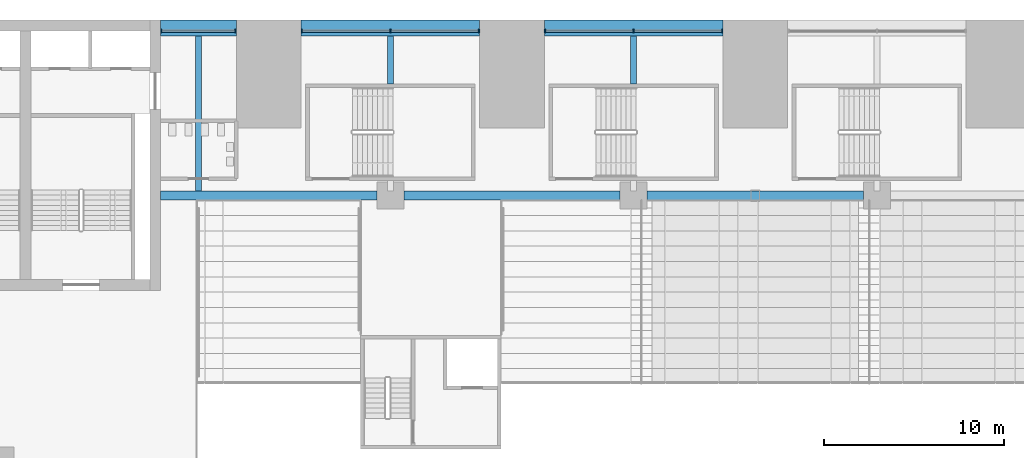
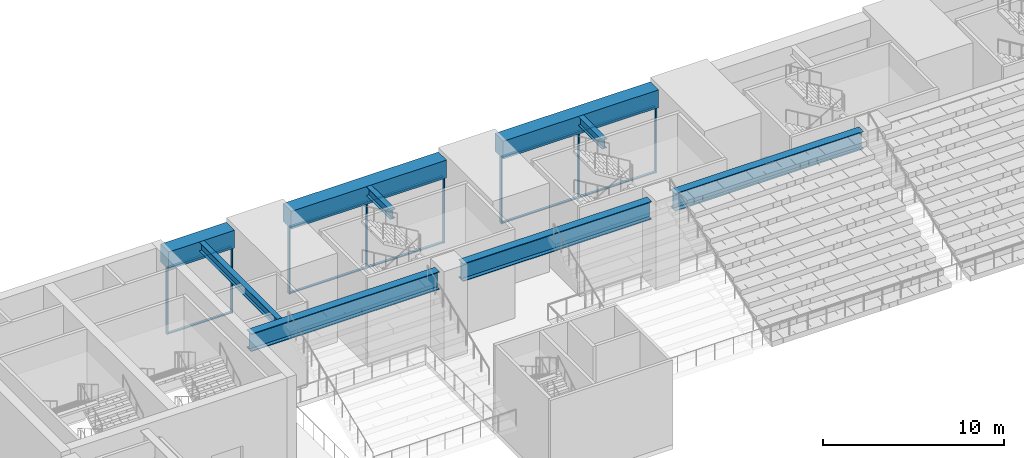
# One storey, part 10 of 61: 18 members, 9 beams, 3 elements without a shape of their own.
"""IFC4 building model written with IfcOpenShell, lengths in metres."""

from ifc_helpers import new_model, si_unit, direction, frame, origin, origin_2d, place, context, subcontext, project, spatial, rectangle, i_section, extrude, material, layer, layer_set, material_profile, profile_set, type_object, element, aggregate, save


model = new_model("IFC4")

# Units and contexts
model_context = context("Model", 3, precision=1e-05, world=origin(), true_north=direction((0.0, 1.0)))
body_context = subcontext(model_context, "Body", "Model", "MODEL_VIEW")
ifc_project = project(units=[si_unit("LENGTHUNIT", "METRE"), si_unit("AREAUNIT", "SQUARE_METRE"), si_unit("VOLUMEUNIT", "CUBIC_METRE"), si_unit("PLANEANGLEUNIT", "RADIAN"), si_unit("MASSUNIT", "GRAM", prefix="KILO")], contexts=[model_context])

# Site, building, storey
site_placement = place(None, origin())
site = spatial("IfcSite", under=ifc_project, at=site_placement, CompositionType="ELEMENT")
building_placement = place(site_placement, origin())
building = spatial("IfcBuilding", under=site, at=building_placement, Name="Corbelhall Arena Tower", CompositionType="ELEMENT")
storey_placement = place(building_placement, frame((0.0, 0.0, 31.0)))
storey = spatial("IfcBuildingStorey", under=building, at=storey_placement, Name="L04", CompositionType="ELEMENT", Elevation=31.0)

# Curtain wall, members
ifc_material_1 = material(Name="Aluminium black anodised", Category="aluminium")
ifc_layer = layer(ifc_material_1, 0.239990234375)
ifc_layer_set = layer_set([ifc_layer], Name="EV-CW4 Arena concourse glazing")
curtain_wall_type = type_object("IfcCurtainWallType", Name="EV-CW4 Arena concourse glazing", PredefinedType="NOTDEFINED", material=ifc_layer_set)
curtain_wall_1_placement = place(storey_placement, origin())
curtain_wall_1 = element("IfcCurtainWall", 1, at=curtain_wall_1_placement, inside=storey, type_object=curtain_wall_type, Name="Curtain wall CW4", PredefinedType="NOTDEFINED")
ifc_material_profile_1 = material_profile(ifc_material_1, rectangle(XDim=0.199951171875, YDim=0.074951171875, at=origin_2d()))
ifc_profile_set_1 = profile_set([ifc_material_profile_1], Name="Aluminium black anodised")
member_type_1 = type_object("IfcMemberType", Name="EV-CW4-MULLION", PredefinedType="MULLION", material=ifc_profile_set_1)
member_1_placement = place(storey_placement, frame((-1.83740234375, 38.3798828125, 0.0), z_axis=(0.0, 0.0, 1.0), x_axis=(0.0, -1.0, 0.0)))
member_1 = element("IfcMember", 2, at=member_1_placement, type_object=member_type_1, Name="CW4 mullion 1", PredefinedType="MULLION", context=body_context, shape_type="SweptSolid", body=[
    extrude(rectangle(XDim=0.199951171875, YDim=0.074951171875, at=origin_2d()), origin(), (0.0, 0.0, 1.0), 4.5),
])
member_2_placement = place(storey_placement, frame((-6.75, 38.3798828125, 0.0), z_axis=(0.0, 0.0, 1.0), x_axis=(0.0, -1.0, 0.0)))
member_2 = element("IfcMember", 3, at=member_2_placement, type_object=member_type_1, Name="CW4 mullion 2", PredefinedType="MULLION", context=body_context, shape_type="SweptSolid", body=[
    extrude(rectangle(XDim=0.199951171875, YDim=0.074951171875, at=origin_2d()), origin(), (0.0, 0.0, 1.0), 4.5),
])
member_3_placement = place(storey_placement, frame((-11.66259765625, 38.3798828125, 0.0), z_axis=(0.0, 0.0, 1.0), x_axis=(0.0, -1.0, 0.0)))
member_3 = element("IfcMember", 4, at=member_3_placement, type_object=member_type_1, Name="CW4 mullion 3", PredefinedType="MULLION", context=body_context, shape_type="SweptSolid", body=[
    extrude(rectangle(XDim=0.199951171875, YDim=0.074951171875, at=origin_2d()), origin(), (0.0, 0.0, 1.0), 4.5),
])

curtain_wall_2_placement = place(storey_placement, origin())
curtain_wall_2 = element("IfcCurtainWall", 5, at=curtain_wall_2_placement, inside=storey, type_object=curtain_wall_type, Name="Curtain wall CW4", PredefinedType="NOTDEFINED")
member_4_placement = place(storey_placement, frame((-15.33740234375, 38.3798828125, 0.0), z_axis=(0.0, 0.0, 1.0), x_axis=(0.0, -1.0, 0.0)))
member_4 = element("IfcMember", 6, at=member_4_placement, type_object=member_type_1, Name="CW4 mullion 1", PredefinedType="MULLION", context=body_context, shape_type="SweptSolid", body=[
    extrude(rectangle(XDim=0.199951171875, YDim=0.074951171875, at=origin_2d()), origin(), (0.0, 0.0, 1.0), 4.5),
])
member_5_placement = place(storey_placement, frame((-20.25, 38.3798828125, 0.0), z_axis=(0.0, 0.0, 1.0), x_axis=(0.0, -1.0, 0.0)))
member_5 = element("IfcMember", 7, at=member_5_placement, type_object=member_type_1, Name="CW4 mullion 2", PredefinedType="MULLION", context=body_context, shape_type="SweptSolid", body=[
    extrude(rectangle(XDim=0.199951171875, YDim=0.074951171875, at=origin_2d()), origin(), (0.0, 0.0, 1.0), 4.5),
])
member_6_placement = place(storey_placement, frame((-25.16259765625, 38.3798828125, 0.0), z_axis=(0.0, 0.0, 1.0), x_axis=(0.0, -1.0, 0.0)))
member_6 = element("IfcMember", 8, at=member_6_placement, type_object=member_type_1, Name="CW4 mullion 3", PredefinedType="MULLION", context=body_context, shape_type="SweptSolid", body=[
    extrude(rectangle(XDim=0.199951171875, YDim=0.074951171875, at=origin_2d()), origin(), (0.0, 0.0, 1.0), 4.5),
])

curtain_wall_3_placement = place(storey_placement, origin())
curtain_wall_3 = element("IfcCurtainWall", 9, at=curtain_wall_3_placement, inside=storey, type_object=curtain_wall_type, Name="Curtain wall CW4A", PredefinedType="NOTDEFINED")
member_7_placement = place(storey_placement, frame((-28.83740234375, 38.3798828125, 0.0), z_axis=(0.0, 0.0, 1.0), x_axis=(0.0, -1.0, 0.0)))
member_7 = element("IfcMember", 10, at=member_7_placement, type_object=member_type_1, Name="CW4A mullion 1", PredefinedType="MULLION", context=body_context, shape_type="SweptSolid", body=[
    extrude(rectangle(XDim=0.199951171875, YDim=0.074951171875, at=origin_2d()), origin(), (0.0, 0.0, 1.0), 4.5),
])
member_8_placement = place(storey_placement, frame((-32.96240234375, 38.3798828125, 0.0), z_axis=(0.0, 0.0, 1.0), x_axis=(0.0, -1.0, 0.0)))
member_8 = element("IfcMember", 11, at=member_8_placement, type_object=member_type_1, Name="CW4A mullion 2", PredefinedType="MULLION", context=body_context, shape_type="SweptSolid", body=[
    extrude(rectangle(XDim=0.199951171875, YDim=0.074951171875, at=origin_2d()), origin(), (0.0, 0.0, 1.0), 4.5),
])

# Member
ifc_material_profile_2 = material_profile(ifc_material_1, rectangle(XDim=0.14990234375, YDim=0.074951171875, at=origin_2d()))
ifc_profile_set_2 = profile_set([ifc_material_profile_2], Name="Aluminium black anodised")
member_type_2 = type_object("IfcMemberType", Name="EV-CW4-TRANSOM", PredefinedType="USERDEFINED", material=ifc_profile_set_2)
member_9_placement = place(storey_placement, frame((-1.875, 38.3798828125, 0.03759765625), z_axis=(-1.0, 0.0, 0.0), x_axis=(0.0, -1.0, 0.0)))
member_9 = element("IfcMember", 12, at=member_9_placement, type_object=member_type_2, Name="CW4 transom 1.1", ObjectType="transom", PredefinedType="USERDEFINED", context=body_context, shape_type="SweptSolid", body=[
    extrude(rectangle(XDim=0.14990234375, YDim=0.074951171875, at=origin_2d()), origin(), (0.0, 0.0, 1.0), 4.83740234375),
])

member_10_placement = place(storey_placement, frame((-1.875, 38.3798828125, 4.46240234375), z_axis=(-1.0, 0.0, 0.0), x_axis=(0.0, -1.0, 0.0)))
member_10 = element("IfcMember", 13, at=member_10_placement, type_object=member_type_2, Name="CW4 transom 1.2", ObjectType="transom", PredefinedType="USERDEFINED", context=body_context, shape_type="SweptSolid", body=[
    extrude(rectangle(XDim=0.14990234375, YDim=0.074951171875, at=origin_2d()), origin(), (0.0, 0.0, 1.0), 4.83740234375),
])

member_11_placement = place(storey_placement, frame((-6.78759765625, 38.3798828125, 0.03759765625), z_axis=(-1.0, 0.0, 0.0), x_axis=(0.0, -1.0, 0.0)))
member_11 = element("IfcMember", 14, at=member_11_placement, type_object=member_type_2, Name="CW4 transom 2.1", ObjectType="transom", PredefinedType="USERDEFINED", context=body_context, shape_type="SweptSolid", body=[
    extrude(rectangle(XDim=0.14990234375, YDim=0.074951171875, at=origin_2d()), origin(), (0.0, 0.0, 1.0), 4.83740234375),
])

member_12_placement = place(storey_placement, frame((-6.78759765625, 38.3798828125, 4.46240234375), z_axis=(-1.0, 0.0, 0.0), x_axis=(0.0, -1.0, 0.0)))
member_12 = element("IfcMember", 15, at=member_12_placement, type_object=member_type_2, Name="CW4 transom 2.2", ObjectType="transom", PredefinedType="USERDEFINED", context=body_context, shape_type="SweptSolid", body=[
    extrude(rectangle(XDim=0.14990234375, YDim=0.074951171875, at=origin_2d()), origin(), (0.0, 0.0, 1.0), 4.83740234375),
])

aggregate(curtain_wall_1, [member_1, member_2, member_3, member_9, member_10, member_11, member_12])

member_13_placement = place(storey_placement, frame((-15.375, 38.3798828125, 0.03759765625), z_axis=(-1.0, 0.0, 0.0), x_axis=(0.0, -1.0, 0.0)))
member_13 = element("IfcMember", 16, at=member_13_placement, type_object=member_type_2, Name="CW4 transom 1.1", ObjectType="transom", PredefinedType="USERDEFINED", context=body_context, shape_type="SweptSolid", body=[
    extrude(rectangle(XDim=0.14990234375, YDim=0.074951171875, at=origin_2d()), origin(), (0.0, 0.0, 1.0), 4.83740234375),
])

member_14_placement = place(storey_placement, frame((-15.375, 38.3798828125, 4.46240234375), z_axis=(-1.0, 0.0, 0.0), x_axis=(0.0, -1.0, 0.0)))
member_14 = element("IfcMember", 17, at=member_14_placement, type_object=member_type_2, Name="CW4 transom 1.2", ObjectType="transom", PredefinedType="USERDEFINED", context=body_context, shape_type="SweptSolid", body=[
    extrude(rectangle(XDim=0.14990234375, YDim=0.074951171875, at=origin_2d()), origin(), (0.0, 0.0, 1.0), 4.83740234375),
])

member_15_placement = place(storey_placement, frame((-20.28759765625, 38.3798828125, 0.03759765625), z_axis=(-1.0, 0.0, 0.0), x_axis=(0.0, -1.0, 0.0)))
member_15 = element("IfcMember", 18, at=member_15_placement, type_object=member_type_2, Name="CW4 transom 2.1", ObjectType="transom", PredefinedType="USERDEFINED", context=body_context, shape_type="SweptSolid", body=[
    extrude(rectangle(XDim=0.14990234375, YDim=0.074951171875, at=origin_2d()), origin(), (0.0, 0.0, 1.0), 4.83740234375),
])

member_16_placement = place(storey_placement, frame((-20.28759765625, 38.3798828125, 4.46240234375), z_axis=(-1.0, 0.0, 0.0), x_axis=(0.0, -1.0, 0.0)))
member_16 = element("IfcMember", 19, at=member_16_placement, type_object=member_type_2, Name="CW4 transom 2.2", ObjectType="transom", PredefinedType="USERDEFINED", context=body_context, shape_type="SweptSolid", body=[
    extrude(rectangle(XDim=0.14990234375, YDim=0.074951171875, at=origin_2d()), origin(), (0.0, 0.0, 1.0), 4.83740234375),
])

aggregate(curtain_wall_2, [member_4, member_5, member_6, member_13, member_14, member_15, member_16])

member_17_placement = place(storey_placement, frame((-28.875, 38.3798828125, 0.03759765625), z_axis=(-1.0, 0.0, 0.0), x_axis=(0.0, -1.0, 0.0)))
member_17 = element("IfcMember", 20, at=member_17_placement, type_object=member_type_2, Name="CW4A transom 1.1", ObjectType="transom", PredefinedType="USERDEFINED", context=body_context, shape_type="SweptSolid", body=[
    extrude(rectangle(XDim=0.14990234375, YDim=0.074951171875, at=origin_2d()), origin(), (0.0, 0.0, 1.0), 4.050048828125),
])

member_18_placement = place(storey_placement, frame((-28.875, 38.3798828125, 4.46240234375), z_axis=(-1.0, 0.0, 0.0), x_axis=(0.0, -1.0, 0.0)))
member_18 = element("IfcMember", 21, at=member_18_placement, type_object=member_type_2, Name="CW4A transom 1.2", ObjectType="transom", PredefinedType="USERDEFINED", context=body_context, shape_type="SweptSolid", body=[
    extrude(rectangle(XDim=0.14990234375, YDim=0.074951171875, at=origin_2d()), origin(), (0.0, 0.0, 1.0), 4.050048828125),
])

aggregate(curtain_wall_3, [member_7, member_8, member_17, member_18])

# Beams
ifc_material_2 = material(Name="Steel ASTM A992 Gr50", Category="steel")
ifc_material_profile_3 = material_profile(ifc_material_2, i_section(OverallWidth=0.323974609375, OverallDepth=0.611083984375, WebThickness=0.0126953125, FlangeThickness=0.01904296875, at=origin_2d()))
ifc_profile_set_3 = profile_set([ifc_material_profile_3], Name="Steel ASTM A992 Gr50")
beam_type_1 = type_object("IfcBeamType", Name="PO-BEAM-W24X104", PredefinedType="BEAM", material=ifc_profile_set_3)
beam_1_placement = place(storey_placement, frame((-30.89990234375, 29.5, 5.39453125), z_axis=(0.0, 1.0, 0.0), x_axis=(-1.0, 0.0, 0.0)))
element("IfcBeam", 22, at=beam_1_placement, inside=storey, type_object=beam_type_1, Name="CONCOURSE BEAM", PredefinedType="BEAM", context=body_context, shape_type="SweptSolid", body=[
    extrude(i_section(OverallWidth=0.323974609375, OverallDepth=0.611083984375, WebThickness=0.0126953125, FlangeThickness=0.01904296875, at=origin_2d()), origin(), (0.0, 0.0, 1.0), 8.60009765625),
])
for number, where, z_axis, x_axis, name in (
    (23, (-20.25, 35.449951171875, 5.39453125), (0.0, 1.0, 0.0), (-1.0, 0.0, 0.0), "CONCOURSE BEAM"),
    (24, (-6.75, 35.449951171875, 5.39453125), (0.0, 1.0, 0.0), (-1.0, 0.0, 0.0), "CONCOURSE BEAM"),
):
    element("IfcBeam", number, at=place(storey_placement, frame(where, z_axis=z_axis, x_axis=x_axis)), inside=storey, type_object=beam_type_1, Name=name, PredefinedType="BEAM", context=body_context, shape_type="SweptSolid", body=[
        extrude(i_section(OverallWidth=0.323974609375, OverallDepth=0.611083984375, WebThickness=0.0126953125, FlangeThickness=0.01904296875, at=origin_2d()), origin(), (0.0, 0.0, 1.0), 2.650146484375),
    ])
ifc_material_3 = material(Name="Steel ASTM A572 Gr50", Category="steel")
ifc_material_profile_4 = material_profile(ifc_material_3, i_section(OverallWidth=0.5, OverallDepth=1.199951171875, WebThickness=0.02490234375, FlangeThickness=0.044921875, at=origin_2d()))
ifc_profile_set_4 = profile_set([ifc_material_profile_4], Name="Steel ASTM A572 Gr50")
beam_type_2 = type_object("IfcBeamType", Name="PO-GIRDER-PG1200X500X25X45", PredefinedType="BEAM", material=ifc_profile_set_4)
for number, where, z_axis, x_axis, name in (
    (25, (-33.0, 29.25, 5.10009765625), (1.0, 0.0, 0.0), (0.0, 1.0, 0.0), "RING GIRDER"),
    (26, (-19.5, 29.25, 5.10009765625), (1.0, 0.0, 0.0), (0.0, 1.0, 0.0), "RING GIRDER"),
    (27, (-6.0, 29.25, 5.10009765625), (1.0, 0.0, 0.0), (0.0, 1.0, 0.0), "RING GIRDER"),
):
    element("IfcBeam", number, at=place(storey_placement, frame(where, z_axis=z_axis, x_axis=x_axis)), inside=storey, type_object=beam_type_2, Name=name, PredefinedType="BEAM", context=body_context, shape_type="SweptSolid", body=[
        extrude(i_section(OverallWidth=0.5, OverallDepth=1.199951171875, WebThickness=0.02490234375, FlangeThickness=0.044921875, at=origin_2d()), origin(), (0.0, 0.0, 1.0), 12.0),
    ])
ifc_material_4 = material(Name="Concrete C80/95", Category="concrete")
ifc_material_profile_5 = material_profile(ifc_material_4, rectangle(XDim=0.89990234375, YDim=1.199951171875, at=origin_2d()))
ifc_profile_set_5 = profile_set([ifc_material_profile_5], Name="Concrete C80/95")
beam_type_3 = type_object("IfcBeamType", Name="PO-RING-BEAM", PredefinedType="BEAM", material=ifc_profile_set_5)
beam_2_placement = place(storey_placement, frame((-33.0, 38.550048828125, 5.10009765625), z_axis=(1.0, 0.0, 0.0), x_axis=(0.0, 1.0, 0.0)))
element("IfcBeam", 28, at=beam_2_placement, inside=storey, type_object=beam_type_3, Name="RING GIRDER L05 N1", PredefinedType="BEAM", context=body_context, shape_type="SweptSolid", body=[
    extrude(rectangle(XDim=0.89990234375, YDim=1.199951171875, at=origin_2d()), origin(), (0.0, 0.0, 1.0), 4.199951171875),
])
for number, where, z_axis, x_axis, name in (
    (29, (-25.199951171875, 38.550048828125, 5.10009765625), (1.0, 0.0, 0.0), (0.0, 1.0, 0.0), "RING GIRDER L05 N2"),
    (30, (-11.699951171875, 38.550048828125, 5.10009765625), (1.0, 0.0, 0.0), (0.0, 1.0, 0.0), "RING GIRDER L05 N3"),
):
    element("IfcBeam", number, at=place(storey_placement, frame(where, z_axis=z_axis, x_axis=x_axis)), inside=storey, type_object=beam_type_3, Name=name, PredefinedType="BEAM", context=body_context, shape_type="SweptSolid", body=[
        extrude(rectangle(XDim=0.89990234375, YDim=1.199951171875, at=origin_2d()), origin(), (0.0, 0.0, 1.0), 9.89990234375),
    ])

save(model, "model.ifc")
